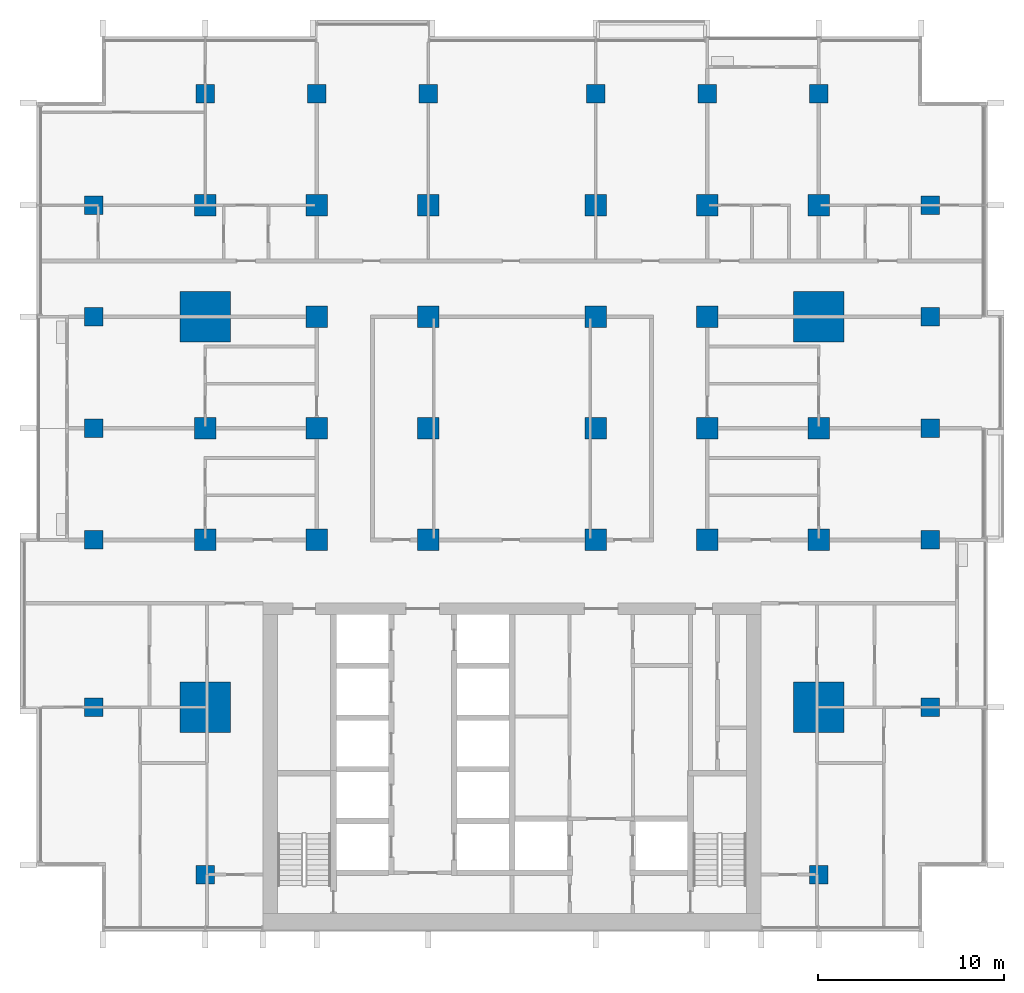
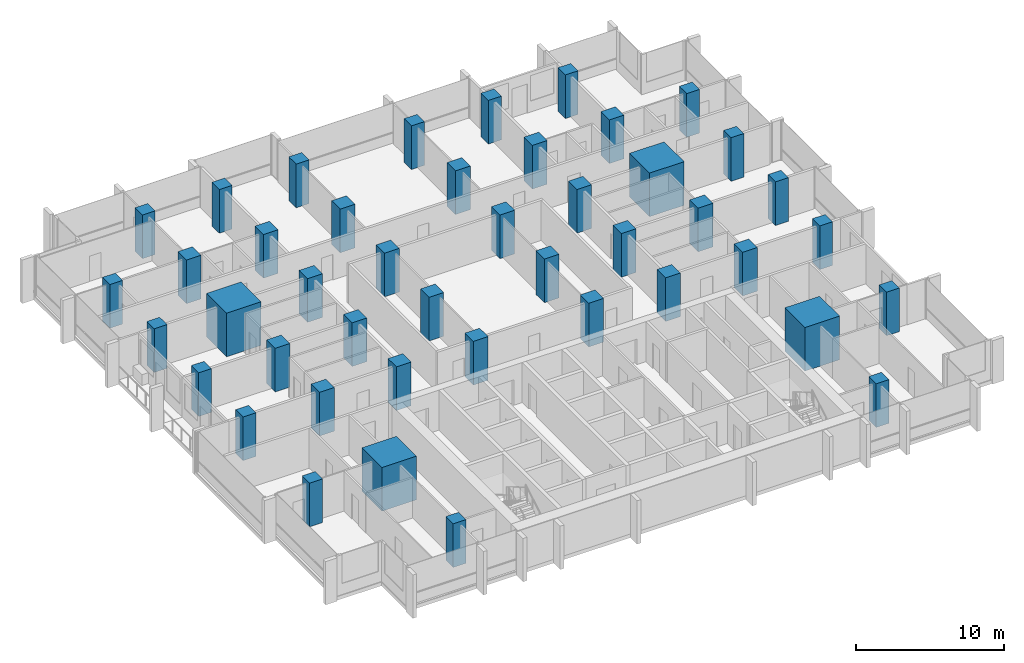
# One storey, part 1 of 17: 44 columns.
"""IFC4 building model written with IfcOpenShell, lengths in metres."""

from ifc_helpers import new_model, si_unit, direction, frame, origin, origin_2d, place, context, subcontext, project, spatial, rectangle, extrude, material, material_profile, profile_set, type_object, element, save


model = new_model("IFC4")

# Units and contexts
model_context = context("Model", 3, precision=1e-05, world=origin(), true_north=direction((0.0, 1.0)))
body_context = subcontext(model_context, "Body", "Model", "MODEL_VIEW")
ifc_project = project(units=[si_unit("LENGTHUNIT", "METRE"), si_unit("AREAUNIT", "SQUARE_METRE"), si_unit("VOLUMEUNIT", "CUBIC_METRE"), si_unit("PLANEANGLEUNIT", "RADIAN"), si_unit("MASSUNIT", "GRAM", prefix="KILO")], contexts=[model_context])

# Site, building, storey
site_placement = place(None, origin())
site = spatial("IfcSite", under=ifc_project, at=site_placement, CompositionType="ELEMENT")
building_placement = place(site_placement, origin())
building = spatial("IfcBuilding", under=site, at=building_placement, Name="Finial Court Residences", CompositionType="ELEMENT")
storey_placement = place(building_placement, frame((0.0, 0.0, 117.10009765625)))
storey = spatial("IfcBuildingStorey", under=building, at=storey_placement, Name="L29", CompositionType="ELEMENT", Elevation=117.10009765625)

# Columns
ifc_material = material(Name="Concrete C70/85", Category="concrete")
ifc_material_profile_1 = material_profile(ifc_material, rectangle(XDim=1.14990234375, YDim=1.14990234375, at=origin_2d()), Name="1150x1150")
ifc_profile_set_1 = profile_set([ifc_material_profile_1], Name="Concrete C70/85")
column_type_1 = type_object("IfcColumnType", Name="Interior column 1150x1150 Concrete C70/85", PredefinedType="COLUMN", material=ifc_profile_set_1)
for number, where, z_axis, x_axis, name in (
    (1, (-16.5, -4.5, 0.0), (0.0, 0.0, 1.0), (1.0, 0.0, 0.0), "S:COL:L29:C4"),
    (2, (-16.5, 1.5, 0.0), (0.0, 0.0, 1.0), (1.0, 0.0, 0.0), "S:COL:L29:C5"),
    (3, (-16.5, 13.5, 0.0), (0.0, 0.0, 1.0), (1.0, 0.0, 0.0), "S:COL:L29:C7"),
    (4, (-10.5, -4.5, 0.0), (0.0, 0.0, 1.0), (1.0, 0.0, 0.0), "S:COL:L29:D4"),
    (5, (-10.5, 1.5, 0.0), (0.0, 0.0, 1.0), (1.0, 0.0, 0.0), "S:COL:L29:D5"),
    (6, (-10.5, 7.5, 0.0), (0.0, 0.0, 1.0), (1.0, 0.0, 0.0), "S:COL:L29:D6"),
    (7, (-10.5, 13.5, 0.0), (0.0, 0.0, 1.0), (1.0, 0.0, 0.0), "S:COL:L29:D7"),
    (8, (-4.5, -4.5, 0.0), (0.0, 0.0, 1.0), (1.0, 0.0, 0.0), "S:COL:L29:E4"),
    (9, (-4.5, 1.5, 0.0), (0.0, 0.0, 1.0), (1.0, 0.0, 0.0), "S:COL:L29:E5"),
    (10, (-4.5, 7.5, 0.0), (0.0, 0.0, 1.0), (1.0, 0.0, 0.0), "S:COL:L29:E6"),
    (11, (-4.5, 13.5, 0.0), (0.0, 0.0, 1.0), (1.0, 0.0, 0.0), "S:COL:L29:E7"),
    (12, (4.5, -4.5, 0.0), (0.0, 0.0, 1.0), (1.0, 0.0, 0.0), "S:COL:L29:F4"),
    (13, (4.5, 1.5, 0.0), (0.0, 0.0, 1.0), (1.0, 0.0, 0.0), "S:COL:L29:F5"),
    (14, (4.5, 7.5, 0.0), (0.0, 0.0, 1.0), (1.0, 0.0, 0.0), "S:COL:L29:F6"),
    (15, (4.5, 13.5, 0.0), (0.0, 0.0, 1.0), (1.0, 0.0, 0.0), "S:COL:L29:F7"),
    (16, (10.5, -4.5, 0.0), (0.0, 0.0, 1.0), (1.0, 0.0, 0.0), "S:COL:L29:G4"),
    (17, (10.5, 1.5, 0.0), (0.0, 0.0, 1.0), (1.0, 0.0, 0.0), "S:COL:L29:G5"),
    (18, (10.5, 7.5, 0.0), (0.0, 0.0, 1.0), (1.0, 0.0, 0.0), "S:COL:L29:G6"),
    (19, (10.5, 13.5, 0.0), (0.0, 0.0, 1.0), (1.0, 0.0, 0.0), "S:COL:L29:G7"),
    (20, (16.5, -4.5, 0.0), (0.0, 0.0, 1.0), (1.0, 0.0, 0.0), "S:COL:L29:H4"),
    (21, (16.5, 1.5, 0.0), (0.0, 0.0, 1.0), (1.0, 0.0, 0.0), "S:COL:L29:H5"),
    (22, (16.5, 13.5, 0.0), (0.0, 0.0, 1.0), (1.0, 0.0, 0.0), "S:COL:L29:H7"),
):
    element("IfcColumn", number, at=place(storey_placement, frame(where, z_axis=z_axis, x_axis=x_axis)), inside=storey, type_object=column_type_1, Name=name, PredefinedType="COLUMN", context=body_context, shape_type="SweptSolid", body=[
        extrude(rectangle(XDim=1.14990234375, YDim=1.14990234375, at=origin_2d()), origin(), (0.0, 0.0, 1.0), 3.599853515625),
    ])
ifc_material_profile_2 = material_profile(ifc_material, rectangle(XDim=2.699951171875, YDim=2.699951171875, at=origin_2d()), Name="2700x2700")
ifc_profile_set_2 = profile_set([ifc_material_profile_2], Name="Concrete C70/85")
column_type_2 = type_object("IfcColumnType", Name="Mega column 2700x2700 Concrete C70/85", PredefinedType="COLUMN", material=ifc_profile_set_2)
for number, where, z_axis, x_axis, name in (
    (23, (-16.5, -13.5, 0.0), (0.0, 0.0, 1.0), (1.0, 0.0, 0.0), "S:COL:L29:C3"),
    (24, (-16.5, 7.5, 0.0), (0.0, 0.0, 1.0), (1.0, 0.0, 0.0), "S:COL:L29:C6"),
    (25, (16.5, -13.5, 0.0), (0.0, 0.0, 1.0), (1.0, 0.0, 0.0), "S:COL:L29:H3"),
    (26, (16.5, 7.5, 0.0), (0.0, 0.0, 1.0), (1.0, 0.0, 0.0), "S:COL:L29:H6"),
):
    element("IfcColumn", number, at=place(storey_placement, frame(where, z_axis=z_axis, x_axis=x_axis)), inside=storey, type_object=column_type_2, Name=name, PredefinedType="COLUMN", context=body_context, shape_type="SweptSolid", body=[
        extrude(rectangle(XDim=2.699951171875, YDim=2.699951171875, at=origin_2d()), origin(), (0.0, 0.0, 1.0), 3.599853515625),
    ])
ifc_material_profile_3 = material_profile(ifc_material, rectangle(XDim=1.0, YDim=1.0, at=origin_2d()), Name="1000x1000")
ifc_profile_set_3 = profile_set([ifc_material_profile_3], Name="Concrete C70/85")
column_type_3 = type_object("IfcColumnType", Name="Perimeter column 1000x1000 Concrete C70/85", PredefinedType="COLUMN", material=ifc_profile_set_3)
for number, where, z_axis, x_axis, name in (
    (27, (-22.5, -13.5, 0.0), (0.0, 0.0, 1.0), (1.0, 0.0, 0.0), "S:COL:L29:B3"),
    (28, (-22.5, -4.5, 0.0), (0.0, 0.0, 1.0), (1.0, 0.0, 0.0), "S:COL:L29:B4"),
    (29, (-22.5, 1.5, 0.0), (0.0, 0.0, 1.0), (1.0, 0.0, 0.0), "S:COL:L29:B5"),
    (30, (-22.5, 7.5, 0.0), (0.0, 0.0, 1.0), (1.0, 0.0, 0.0), "S:COL:L29:B6"),
    (31, (-22.5, 13.5, 0.0), (0.0, 0.0, 1.0), (1.0, 0.0, 0.0), "S:COL:L29:B7"),
    (32, (-16.5, -22.5, 0.0), (0.0, 0.0, 1.0), (1.0, 0.0, 0.0), "S:COL:L29:C2"),
    (33, (-16.5, 19.5, 0.0), (0.0, 0.0, 1.0), (1.0, 0.0, 0.0), "S:COL:L29:C8"),
    (34, (-10.5, 19.5, 0.0), (0.0, 0.0, 1.0), (1.0, 0.0, 0.0), "S:COL:L29:D8"),
    (35, (-4.5, 19.5, 0.0), (0.0, 0.0, 1.0), (1.0, 0.0, 0.0), "S:COL:L29:E8"),
    (36, (4.5, 19.5, 0.0), (0.0, 0.0, 1.0), (1.0, 0.0, 0.0), "S:COL:L29:F8"),
    (37, (10.5, 19.5, 0.0), (0.0, 0.0, 1.0), (1.0, 0.0, 0.0), "S:COL:L29:G8"),
    (38, (16.5, -22.5, 0.0), (0.0, 0.0, 1.0), (1.0, 0.0, 0.0), "S:COL:L29:H2"),
    (39, (16.5, 19.5, 0.0), (0.0, 0.0, 1.0), (1.0, 0.0, 0.0), "S:COL:L29:H8"),
    (40, (22.5, -13.5, 0.0), (0.0, 0.0, 1.0), (1.0, 0.0, 0.0), "S:COL:L29:I3"),
    (41, (22.5, -4.5, 0.0), (0.0, 0.0, 1.0), (1.0, 0.0, 0.0), "S:COL:L29:I4"),
    (42, (22.5, 1.5, 0.0), (0.0, 0.0, 1.0), (1.0, 0.0, 0.0), "S:COL:L29:I5"),
    (43, (22.5, 7.5, 0.0), (0.0, 0.0, 1.0), (1.0, 0.0, 0.0), "S:COL:L29:I6"),
    (44, (22.5, 13.5, 0.0), (0.0, 0.0, 1.0), (1.0, 0.0, 0.0), "S:COL:L29:I7"),
):
    element("IfcColumn", number, at=place(storey_placement, frame(where, z_axis=z_axis, x_axis=x_axis)), inside=storey, type_object=column_type_3, Name=name, PredefinedType="COLUMN", context=body_context, shape_type="SweptSolid", body=[
        extrude(rectangle(XDim=1.0, YDim=1.0, at=origin_2d()), origin(), (0.0, 0.0, 1.0), 3.599853515625),
    ])

save(model, "model.ifc")
